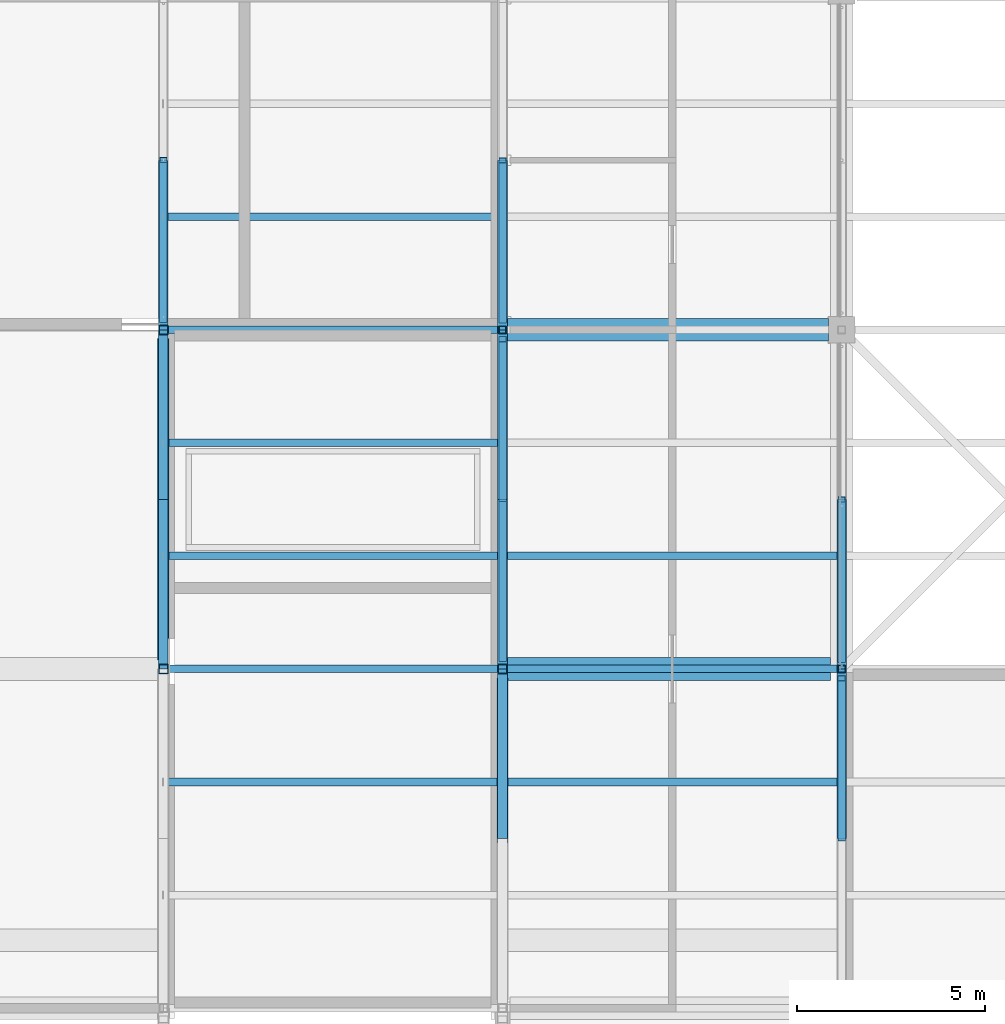
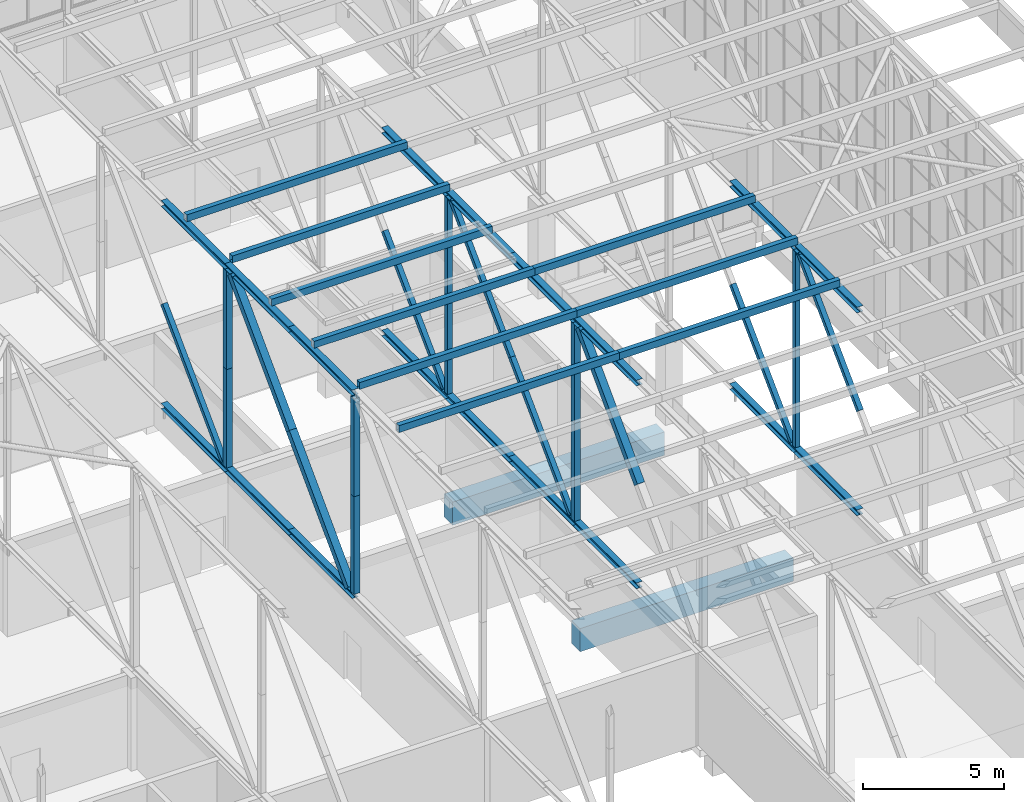
# One storey, part 105 of 646: 46 members, 2 beams.
"""IFC4 building model written with IfcOpenShell, lengths in metres."""

from ifc_helpers import new_model, si_unit, direction, frame, origin, origin_2d, place, context, subcontext, project, spatial, rectangle, hollow_rectangle, i_section, extrude, material, material_profile, profile_set, type_object, element, save


model = new_model("IFC4")

# Units and contexts
model_context = context("Model", 3, precision=1e-05, world=origin(), true_north=direction((0.0, 1.0)))
body_context = subcontext(model_context, "Body", "Model", "MODEL_VIEW")
ifc_project = project(units=[si_unit("LENGTHUNIT", "METRE"), si_unit("AREAUNIT", "SQUARE_METRE"), si_unit("VOLUMEUNIT", "CUBIC_METRE"), si_unit("PLANEANGLEUNIT", "RADIAN"), si_unit("MASSUNIT", "GRAM", prefix="KILO")], contexts=[model_context])

# Site, building, storey
site_placement = place(None, origin())
site = spatial("IfcSite", under=ifc_project, at=site_placement, CompositionType="ELEMENT")
building_placement = place(site_placement, origin())
building = spatial("IfcBuilding", under=site, at=building_placement, Name="Silverbay Arena", CompositionType="ELEMENT")
storey_placement = place(building_placement, frame((0.0, 0.0, 33.5)))
storey = spatial("IfcBuildingStorey", under=building, at=storey_placement, Name="L05", CompositionType="ELEMENT", Elevation=33.5)

# Members
ifc_material_1 = material(Name="Steel S355", Category="steel")
ifc_material_profile_1 = material_profile(ifc_material_1, i_section(OverallWidth=0.254638671875, OverallDepth=0.254150390625, WebThickness=0.008544921875, FlangeThickness=0.01416015625, at=origin_2d()), Name="UC 254x254x73")
ifc_profile_set_1 = profile_set([ifc_material_profile_1], Name="Steel S355")
member_type_1 = type_object("IfcMemberType", Name="Long-span bottom chord UC 254x254x73", PredefinedType="CHORD", material=ifc_profile_set_1)
for number, where, z_axis, x_axis, name in (
    (1, (180.0, 108.0, 4.126953125), (0.0, 1.0, 0.0), (-1.0, 0.0, 0.0), "ROOF TRUSS 21 bottom chord 12a"),
    (2, (180.0, 112.5, 4.126953125), (0.0, 1.0, 0.0), (-1.0, 0.0, 0.0), "ROOF TRUSS 21 bottom chord 12b"),
    (3, (180.0, 117.0, 4.126953125), (0.0, 1.0, 0.0), (-1.0, 0.0, 0.0), "ROOF TRUSS 21 bottom chord 13a"),
):
    element("IfcMember", number, at=place(storey_placement, frame(where, z_axis=z_axis, x_axis=x_axis)), inside=storey, type_object=member_type_1, Name=name, PredefinedType="CHORD", context=body_context, shape_type="SweptSolid", body=[
        extrude(i_section(OverallWidth=0.254638671875, OverallDepth=0.254150390625, WebThickness=0.008544921875, FlangeThickness=0.01416015625, at=origin_2d()), origin(), (0.0, 0.0, 1.0), 4.5),
    ])
ifc_material_2 = material(Name="Steel S355", Category="steel")
ifc_material_profile_2 = material_profile(ifc_material_2, i_section(OverallWidth=0.254638671875, OverallDepth=0.254150390625, WebThickness=0.008544921875, FlangeThickness=0.01416015625, at=origin_2d()), Name="UC 254x254x73")
ifc_profile_set_2 = profile_set([ifc_material_profile_2], Name="Steel S355")
member_type_2 = type_object("IfcMemberType", Name="Long-span top chord UC 254x254x73", PredefinedType="CHORD", material=ifc_profile_set_2)
for number, where, z_axis, x_axis, name in (
    (4, (180.0, 108.0, 12.873046875), (0.0, 1.0, 0.0), (-1.0, 0.0, 0.0), "ROOF TRUSS 21 top chord 12a"),
    (5, (180.0, 112.5, 12.873046875), (0.0, 1.0, 0.0), (-1.0, 0.0, 0.0), "ROOF TRUSS 21 top chord 12b"),
    (6, (180.0, 117.0, 12.873046875), (0.0, 1.0, 0.0), (-1.0, 0.0, 0.0), "ROOF TRUSS 21 top chord 13a"),
):
    element("IfcMember", number, at=place(storey_placement, frame(where, z_axis=z_axis, x_axis=x_axis)), inside=storey, type_object=member_type_2, Name=name, PredefinedType="CHORD", context=body_context, shape_type="SweptSolid", body=[
        extrude(i_section(OverallWidth=0.254638671875, OverallDepth=0.254150390625, WebThickness=0.008544921875, FlangeThickness=0.01416015625, at=origin_2d()), origin(), (0.0, 0.0, 1.0), 4.5),
    ])
ifc_material_3 = material(Name="Steel S355", Category="steel")
ifc_material_profile_3 = material_profile(ifc_material_3, hollow_rectangle(XDim=0.199951171875, YDim=0.199951171875, WallThickness=0.008056640625, at=origin_2d()), Name="SHS 200x200x8")
ifc_profile_set_3 = profile_set([ifc_material_profile_3], Name="Steel S355")
member_type_3 = type_object("IfcMemberType", Name="Long-span truss diagonal SHS 200x200x8", PredefinedType="BRACE", material=ifc_profile_set_3)
member_1_placement = place(storey_placement, frame((180.0, 121.512451171875, 8.5), z_axis=(0.0, -0.7067609232, -0.707452470091), x_axis=(1.0, 0.0, 0.0)))
element("IfcMember", 7, at=member_1_placement, inside=storey, type_object=member_type_3, Name="ROOF TRUSS 21 diagonal 13b", PredefinedType="BRACE", context=body_context, shape_type="SweptSolid", body=[
    extrude(hollow_rectangle(XDim=0.199951171875, YDim=0.199951171875, WallThickness=0.008056640625, at=origin_2d()), origin(), (0.0, 0.0, 1.0), 6.001708984375),
])
ifc_material_4 = material(Name="Steel S355", Category="steel")
ifc_material_profile_4 = material_profile(ifc_material_4, hollow_rectangle(XDim=0.300048828125, YDim=0.300048828125, WallThickness=0.01416015625, at=origin_2d()), Name="SHS 300x300x14.2")
ifc_profile_set_4 = profile_set([ifc_material_profile_4], Name="Steel S355")
member_type_4 = type_object("IfcMemberType", Name="Long-span truss diagonal SHS 300x300x14.2", PredefinedType="BRACE", material=ifc_profile_set_4)
for number, where, z_axis, x_axis, name in (
    (8, (180.0, 116.656494140625, 12.745849609375), (0.0, -0.699547435142, -0.714586164144), (1.0, 0.0, 0.0), "ROOF TRUSS 21 diagonal 12a"),
    (9, (180.0, 112.5, 8.5), (0.0, -0.699547435142, -0.714586164144), (1.0, 0.0, 0.0), "ROOF TRUSS 21 diagonal 12b"),
):
    element("IfcMember", number, at=place(storey_placement, frame(where, z_axis=z_axis, x_axis=x_axis)), inside=storey, type_object=member_type_4, Name=name, PredefinedType="BRACE", context=body_context, shape_type="SweptSolid", body=[
        extrude(hollow_rectangle(XDim=0.300048828125, YDim=0.300048828125, WallThickness=0.01416015625, at=origin_2d()), origin(), (0.0, 0.0, 1.0), 5.941650390625),
    ])
ifc_material_5 = material(Name="Steel S355", Category="steel")
ifc_material_profile_5 = material_profile(ifc_material_5, hollow_rectangle(XDim=0.25, YDim=0.25, WallThickness=0.010009765625, at=origin_2d()), Name="SHS 250x250x10")
ifc_profile_set_5 = profile_set([ifc_material_profile_5], Name="Steel S355")
member_type_5 = type_object("IfcMemberType", Name="Long-span truss vertical SHS 250x250x10", PredefinedType="STRUT", material=ifc_profile_set_5)
member_2_placement = place(storey_placement, frame((180.0, 108.0, 4.254150390625), z_axis=(0.0, 0.0, 1.0), x_axis=(1.0, 0.0, 0.0)))
element("IfcMember", 10, at=member_2_placement, inside=storey, type_object=member_type_5, Name="ROOF TRUSS 21 vertical 12a", PredefinedType="STRUT", context=body_context, shape_type="SweptSolid", body=[
    extrude(hollow_rectangle(XDim=0.25, YDim=0.25, WallThickness=0.010009765625, at=origin_2d()), origin(), (0.0, 0.0, 1.0), 4.215576171875),
])
member_3_placement = place(storey_placement, frame((180.0, 108.0, 8.4697265625), z_axis=(0.0, 0.0, 1.0), x_axis=(1.0, 0.0, 0.0)))
element("IfcMember", 11, at=member_3_placement, inside=storey, type_object=member_type_5, Name="ROOF TRUSS 21 vertical 12b", PredefinedType="STRUT", context=body_context, shape_type="SweptSolid", body=[
    extrude(hollow_rectangle(XDim=0.25, YDim=0.25, WallThickness=0.010009765625, at=origin_2d()), origin(), (0.0, 0.0, 1.0), 4.2158203125),
])
for number, where, z_axis, x_axis, name in (
    (12, (180.0, 117.0, 4.254150390625), (0.0, 0.0, 1.0), (1.0, 0.0, 0.0), "ROOF TRUSS 21 vertical 13a"),
    (13, (180.0, 117.0, 8.5), (0.0, 0.0, 1.0), (1.0, 0.0, 0.0), "ROOF TRUSS 21 vertical 13b"),
):
    element("IfcMember", number, at=place(storey_placement, frame(where, z_axis=z_axis, x_axis=x_axis)), inside=storey, type_object=member_type_5, Name=name, PredefinedType="STRUT", context=body_context, shape_type="SweptSolid", body=[
        extrude(hollow_rectangle(XDim=0.25, YDim=0.25, WallThickness=0.010009765625, at=origin_2d()), origin(), (0.0, 0.0, 1.0), 4.245849609375),
    ])
ifc_material_6 = material(Name="Steel S355", Category="steel")
ifc_material_profile_6 = material_profile(ifc_material_6, i_section(OverallWidth=0.254638671875, OverallDepth=0.254150390625, WebThickness=0.008544921875, FlangeThickness=0.01416015625, at=origin_2d()), Name="UC 254x254x73")
ifc_profile_set_6 = profile_set([ifc_material_profile_6], Name="Steel S355")
member_type_6 = type_object("IfcMemberType", Name="Medium-span bottom chord UC 254x254x73", PredefinedType="CHORD", material=ifc_profile_set_6)
for number, where, z_axis, x_axis, name in (
    (14, (189.0, 103.5, 4.126953125), (0.0, 1.0, 0.0), (-1.0, 0.0, 0.0), "ROOF TRUSS 22 bottom chord 11b"),
    (15, (189.0, 108.0, 4.126953125), (0.0, 1.0, 0.0), (-1.0, 0.0, 0.0), "ROOF TRUSS 22 bottom chord 12a"),
    (16, (189.0, 112.5, 4.126953125), (0.0, 1.0, 0.0), (-1.0, 0.0, 0.0), "ROOF TRUSS 22 bottom chord 12b"),
    (17, (189.0, 117.0, 4.126953125), (0.0, 1.0, 0.0), (-1.0, 0.0, 0.0), "ROOF TRUSS 22 bottom chord 13a"),
):
    element("IfcMember", number, at=place(storey_placement, frame(where, z_axis=z_axis, x_axis=x_axis)), inside=storey, type_object=member_type_6, Name=name, PredefinedType="CHORD", context=body_context, shape_type="SweptSolid", body=[
        extrude(i_section(OverallWidth=0.254638671875, OverallDepth=0.254150390625, WebThickness=0.008544921875, FlangeThickness=0.01416015625, at=origin_2d()), origin(), (0.0, 0.0, 1.0), 4.5),
    ])
ifc_material_7 = material(Name="Steel S355", Category="steel")
ifc_material_profile_7 = material_profile(ifc_material_7, i_section(OverallWidth=0.254638671875, OverallDepth=0.254150390625, WebThickness=0.008544921875, FlangeThickness=0.01416015625, at=origin_2d()), Name="UC 254x254x73")
ifc_profile_set_7 = profile_set([ifc_material_profile_7], Name="Steel S355")
member_type_7 = type_object("IfcMemberType", Name="Medium-span top chord UC 254x254x73", PredefinedType="CHORD", material=ifc_profile_set_7)
for number, where, z_axis, x_axis, name in (
    (18, (189.0, 103.5, 12.873046875), (0.0, 1.0, 0.0), (-1.0, 0.0, 0.0), "ROOF TRUSS 22 top chord 11b"),
    (19, (189.0, 108.0, 12.873046875), (0.0, 1.0, 0.0), (-1.0, 0.0, 0.0), "ROOF TRUSS 22 top chord 12a"),
    (20, (189.0, 112.5, 12.873046875), (0.0, 1.0, 0.0), (-1.0, 0.0, 0.0), "ROOF TRUSS 22 top chord 12b"),
    (21, (189.0, 117.0, 12.873046875), (0.0, 1.0, 0.0), (-1.0, 0.0, 0.0), "ROOF TRUSS 22 top chord 13a"),
):
    element("IfcMember", number, at=place(storey_placement, frame(where, z_axis=z_axis, x_axis=x_axis)), inside=storey, type_object=member_type_7, Name=name, PredefinedType="CHORD", context=body_context, shape_type="SweptSolid", body=[
        extrude(i_section(OverallWidth=0.254638671875, OverallDepth=0.254150390625, WebThickness=0.008544921875, FlangeThickness=0.01416015625, at=origin_2d()), origin(), (0.0, 0.0, 1.0), 4.5),
    ])
ifc_material_8 = material(Name="Steel S355", Category="steel")
ifc_material_profile_8 = material_profile(ifc_material_8, hollow_rectangle(XDim=0.199951171875, YDim=0.199951171875, WallThickness=0.008056640625, at=origin_2d()), Name="SHS 200x200x8")
ifc_profile_set_8 = profile_set([ifc_material_profile_8], Name="Steel S355")
member_type_8 = type_object("IfcMemberType", Name="Medium-span truss diagonal SHS 200x200x8", PredefinedType="BRACE", material=ifc_profile_set_8)
for number, where, z_axis, x_axis, name in (
    (22, (189.0, 116.75439453125, 12.745849609375), (0.0, -0.706781281828, -0.707432130778), (1.0, 0.0, 0.0), "ROOF TRUSS 22 diagonal 12a"),
    (23, (189.0, 112.512451171875, 8.5), (0.0, -0.7067609232, -0.707452470091), (1.0, 0.0, 0.0), "ROOF TRUSS 22 diagonal 12b"),
):
    element("IfcMember", number, at=place(storey_placement, frame(where, z_axis=z_axis, x_axis=x_axis)), inside=storey, type_object=member_type_8, Name=name, PredefinedType="BRACE", context=body_context, shape_type="SweptSolid", body=[
        extrude(hollow_rectangle(XDim=0.199951171875, YDim=0.199951171875, WallThickness=0.008056640625, at=origin_2d()), origin(), (0.0, 0.0, 1.0), 6.001708984375),
    ])
member_4_placement = place(storey_placement, frame((189.0, 121.5, 8.5), z_axis=(0.0, -0.70781724692, -0.706395600894), x_axis=(1.0, 0.0, 0.0)))
element("IfcMember", 24, at=member_4_placement, inside=storey, type_object=member_type_8, Name="ROOF TRUSS 22 diagonal 13b", PredefinedType="BRACE", context=body_context, shape_type="SweptSolid", body=[
    extrude(hollow_rectangle(XDim=0.199951171875, YDim=0.199951171875, WallThickness=0.008056640625, at=origin_2d()), origin(), (0.0, 0.0, 1.0), 6.010498046875),
])
ifc_material_9 = material(Name="Steel S355", Category="steel")
ifc_material_profile_9 = material_profile(ifc_material_9, hollow_rectangle(XDim=0.300048828125, YDim=0.300048828125, WallThickness=0.012451171875, at=origin_2d()), Name="SHS 300x300x12.5")
ifc_profile_set_9 = profile_set([ifc_material_profile_9], Name="Steel S355")
member_type_9 = type_object("IfcMemberType", Name="Medium-span truss diagonal SHS 300x300x12.5", PredefinedType="BRACE", material=ifc_profile_set_9)
member_5_placement = place(storey_placement, frame((189.0, 107.656494140625, 12.745849609375), z_axis=(0.0, -0.700196997117, -0.713949693766), x_axis=(1.0, 0.0, 0.0)))
element("IfcMember", 25, at=member_5_placement, inside=storey, type_object=member_type_9, Name="ROOF TRUSS 22 diagonal 11a", PredefinedType="BRACE", context=body_context, shape_type="SweptSolid", body=[
    extrude(hollow_rectangle(XDim=0.300048828125, YDim=0.300048828125, WallThickness=0.012451171875, at=origin_2d()), origin(), (0.0, 0.0, 1.0), 5.947021484375),
])
ifc_material_10 = material(Name="Steel S355", Category="steel")
ifc_material_profile_10 = material_profile(ifc_material_10, hollow_rectangle(XDim=0.199951171875, YDim=0.199951171875, WallThickness=0.008056640625, at=origin_2d()), Name="SHS 200x200x8")
ifc_profile_set_10 = profile_set([ifc_material_profile_10], Name="Steel S355")
member_type_10 = type_object("IfcMemberType", Name="Medium-span truss vertical SHS 200x200x8", PredefinedType="STRUT", material=ifc_profile_set_10)
for number, where, z_axis, x_axis, name in (
    (26, (189.0, 117.0, 4.254150390625), (0.0, 0.0, 1.0), (1.0, 0.0, 0.0), "ROOF TRUSS 22 vertical 13a"),
    (27, (189.0, 117.0, 8.5), (0.0, 0.0, 1.0), (1.0, 0.0, 0.0), "ROOF TRUSS 22 vertical 13b"),
):
    element("IfcMember", number, at=place(storey_placement, frame(where, z_axis=z_axis, x_axis=x_axis)), inside=storey, type_object=member_type_10, Name=name, PredefinedType="STRUT", context=body_context, shape_type="SweptSolid", body=[
        extrude(hollow_rectangle(XDim=0.199951171875, YDim=0.199951171875, WallThickness=0.008056640625, at=origin_2d()), origin(), (0.0, 0.0, 1.0), 4.245849609375),
    ])
ifc_material_11 = material(Name="Steel S355", Category="steel")
ifc_material_profile_11 = material_profile(ifc_material_11, hollow_rectangle(XDim=0.25, YDim=0.25, WallThickness=0.010009765625, at=origin_2d()), Name="SHS 250x250x10")
ifc_profile_set_11 = profile_set([ifc_material_profile_11], Name="Steel S355")
member_type_11 = type_object("IfcMemberType", Name="Medium-span truss vertical SHS 250x250x10", PredefinedType="STRUT", material=ifc_profile_set_11)
for number, where, z_axis, x_axis, name in (
    (28, (189.0, 108.0, 4.254150390625), (0.0, 0.0, 1.0), (1.0, 0.0, 0.0), "ROOF TRUSS 22 vertical 12a"),
    (29, (189.0, 108.0, 8.5), (0.0, 0.0, 1.0), (1.0, 0.0, 0.0), "ROOF TRUSS 22 vertical 12b"),
):
    element("IfcMember", number, at=place(storey_placement, frame(where, z_axis=z_axis, x_axis=x_axis)), inside=storey, type_object=member_type_11, Name=name, PredefinedType="STRUT", context=body_context, shape_type="SweptSolid", body=[
        extrude(hollow_rectangle(XDim=0.25, YDim=0.25, WallThickness=0.010009765625, at=origin_2d()), origin(), (0.0, 0.0, 1.0), 4.245849609375),
    ])
ifc_material_12 = material(Name="Steel S355", Category="steel")
ifc_material_profile_12 = material_profile(ifc_material_12, hollow_rectangle(XDim=0.199951171875, YDim=0.300048828125, WallThickness=0.00634765625, at=origin_2d()), Name="RHS 300x200x6.3")
ifc_profile_set_12 = profile_set([ifc_material_profile_12], Name="Steel S355")
member_type_12 = type_object("IfcMemberType", Name="Purlin RHS 300x200x6.3", PredefinedType="PURLIN", material=ifc_profile_set_12)
member_6_placement = place(storey_placement, frame((180.0, 105.0, 13.14990234375), z_axis=(1.0, 0.0, 0.0), x_axis=(0.0, 1.0, 0.0)))
element("IfcMember", 30, at=member_6_placement, inside=storey, type_object=member_type_12, Name="ROOF PURLIN 21-22 line 33", PredefinedType="PURLIN", context=body_context, shape_type="SweptSolid", body=[
    extrude(hollow_rectangle(XDim=0.199951171875, YDim=0.300048828125, WallThickness=0.00634765625, at=origin_2d()), origin(), (0.0, 0.0, 1.0), 9.0),
])
member_7_placement = place(storey_placement, frame((180.125, 108.0, 13.14990234375), z_axis=(1.0, 0.0, 0.0), x_axis=(0.0, 1.0, 0.0)))
element("IfcMember", 31, at=member_7_placement, inside=storey, type_object=member_type_12, Name="ROOF PURLIN 21-22 line 34", PredefinedType="PURLIN", context=body_context, shape_type="SweptSolid", body=[
    extrude(hollow_rectangle(XDim=0.199951171875, YDim=0.300048828125, WallThickness=0.00634765625, at=origin_2d()), origin(), (0.0, 0.0, 1.0), 8.875),
])
for number, where, z_axis, x_axis, name in (
    (32, (180.0, 111.0, 13.14990234375), (1.0, 0.0, 0.0), (0.0, 1.0, 0.0), "ROOF PURLIN 21-22 line 35"),
    (33, (180.0, 114.0, 13.14990234375), (1.0, 0.0, 0.0), (0.0, 1.0, 0.0), "ROOF PURLIN 21-22 line 36"),
):
    element("IfcMember", number, at=place(storey_placement, frame(where, z_axis=z_axis, x_axis=x_axis)), inside=storey, type_object=member_type_12, Name=name, PredefinedType="PURLIN", context=body_context, shape_type="SweptSolid", body=[
        extrude(hollow_rectangle(XDim=0.199951171875, YDim=0.300048828125, WallThickness=0.00634765625, at=origin_2d()), origin(), (0.0, 0.0, 1.0), 9.0),
    ])
member_8_placement = place(storey_placement, frame((180.125, 117.0, 13.14990234375), z_axis=(1.0, 0.0, 0.0), x_axis=(0.0, 1.0, 0.0)))
element("IfcMember", 34, at=member_8_placement, inside=storey, type_object=member_type_12, Name="ROOF PURLIN 21-22 line 37", PredefinedType="PURLIN", context=body_context, shape_type="SweptSolid", body=[
    extrude(hollow_rectangle(XDim=0.199951171875, YDim=0.300048828125, WallThickness=0.00634765625, at=origin_2d()), origin(), (0.0, 0.0, 1.0), 8.875),
])
for number, where, z_axis, x_axis, name in (
    (35, (180.0, 120.0, 13.14990234375), (1.0, 0.0, 0.0), (0.0, 1.0, 0.0), "ROOF PURLIN 21-22 line 38"),
    (36, (189.0, 105.0, 13.14990234375), (1.0, 0.0, 0.0), (0.0, 1.0, 0.0), "ROOF PURLIN 22-23 line 33"),
    (37, (189.0, 108.0, 13.14990234375), (1.0, 0.0, 0.0), (0.0, 1.0, 0.0), "ROOF PURLIN 22-23 line 34"),
    (38, (189.0, 111.0, 13.14990234375), (1.0, 0.0, 0.0), (0.0, 1.0, 0.0), "ROOF PURLIN 22-23 line 35"),
):
    element("IfcMember", number, at=place(storey_placement, frame(where, z_axis=z_axis, x_axis=x_axis)), inside=storey, type_object=member_type_12, Name=name, PredefinedType="PURLIN", context=body_context, shape_type="SweptSolid", body=[
        extrude(hollow_rectangle(XDim=0.199951171875, YDim=0.300048828125, WallThickness=0.00634765625, at=origin_2d()), origin(), (0.0, 0.0, 1.0), 9.0),
    ])

# Beams
ifc_material_13 = material(Name="Concrete Grade C45", Category="concrete")
ifc_material_profile_13 = material_profile(ifc_material_13, rectangle(XDim=0.60009765625, YDim=1.0, at=origin_2d()), Name="RC 600x1000")
ifc_profile_set_13 = profile_set([ifc_material_profile_13], Name="Concrete Grade C45")
beam_type = type_object("IfcBeamType", Name="RC beam 600x1000", PredefinedType="BEAM", material=ifc_profile_set_13)
beam_1_placement = place(storey_placement, frame((189.0, 108.0, -0.800048828125), z_axis=(1.0, 0.0, 0.0), x_axis=(0.0, 1.0, 0.0)))
element("IfcBeam", 39, at=beam_1_placement, inside=storey, type_object=beam_type, Name="Floor beam L05 052", PredefinedType="BEAM", context=body_context, shape_type="SweptSolid", body=[
    extrude(rectangle(XDim=0.60009765625, YDim=1.0, at=origin_2d()), origin(), (0.0, 0.0, 1.0), 8.699951171875),
])
beam_2_placement = place(storey_placement, frame((189.0, 117.0, -0.800048828125), z_axis=(1.0, 0.0, 0.0), x_axis=(0.0, 1.0, 0.0)))
element("IfcBeam", 40, at=beam_2_placement, inside=storey, type_object=beam_type, Name="Floor beam L05 056", PredefinedType="BEAM", context=body_context, shape_type="SweptSolid", body=[
    extrude(rectangle(XDim=0.60009765625, YDim=1.0, at=origin_2d()), origin(), (0.0, 0.0, 1.0), 8.64990234375),
])

# Members
ifc_material_14 = material(Name="Steel S355", Category="steel")
ifc_material_profile_14 = material_profile(ifc_material_14, i_section(OverallWidth=0.254638671875, OverallDepth=0.254150390625, WebThickness=0.008544921875, FlangeThickness=0.01416015625, at=origin_2d()), Name="UC 254x254x73")
ifc_profile_set_14 = profile_set([ifc_material_profile_14], Name="Steel S355")
member_type_13 = type_object("IfcMemberType", Name="Short-span bottom chord UC 254x254x73", PredefinedType="CHORD", material=ifc_profile_set_14)
for number, where, z_axis, x_axis, name in (
    (41, (198.0, 103.5, 4.126953125), (0.0, 1.0, 0.0), (-1.0, 0.0, 0.0), "ROOF TRUSS 23 bottom chord 11b"),
    (42, (198.0, 108.0, 4.126953125), (0.0, 1.0, 0.0), (-1.0, 0.0, 0.0), "ROOF TRUSS 23 bottom chord 12a"),
):
    element("IfcMember", number, at=place(storey_placement, frame(where, z_axis=z_axis, x_axis=x_axis)), inside=storey, type_object=member_type_13, Name=name, PredefinedType="CHORD", context=body_context, shape_type="SweptSolid", body=[
        extrude(i_section(OverallWidth=0.254638671875, OverallDepth=0.254150390625, WebThickness=0.008544921875, FlangeThickness=0.01416015625, at=origin_2d()), origin(), (0.0, 0.0, 1.0), 4.5),
    ])
ifc_material_15 = material(Name="Steel S355", Category="steel")
ifc_material_profile_15 = material_profile(ifc_material_15, i_section(OverallWidth=0.254638671875, OverallDepth=0.254150390625, WebThickness=0.008544921875, FlangeThickness=0.01416015625, at=origin_2d()), Name="UC 254x254x73")
ifc_profile_set_15 = profile_set([ifc_material_profile_15], Name="Steel S355")
member_type_14 = type_object("IfcMemberType", Name="Short-span top chord UC 254x254x73", PredefinedType="CHORD", material=ifc_profile_set_15)
for number, where, z_axis, x_axis, name in (
    (43, (198.0, 103.5, 12.873046875), (0.0, 1.0, 0.0), (-1.0, 0.0, 0.0), "ROOF TRUSS 23 top chord 11b"),
    (44, (198.0, 108.0, 12.873046875), (0.0, 1.0, 0.0), (-1.0, 0.0, 0.0), "ROOF TRUSS 23 top chord 12a"),
):
    element("IfcMember", number, at=place(storey_placement, frame(where, z_axis=z_axis, x_axis=x_axis)), inside=storey, type_object=member_type_14, Name=name, PredefinedType="CHORD", context=body_context, shape_type="SweptSolid", body=[
        extrude(i_section(OverallWidth=0.254638671875, OverallDepth=0.254150390625, WebThickness=0.008544921875, FlangeThickness=0.01416015625, at=origin_2d()), origin(), (0.0, 0.0, 1.0), 4.5),
    ])
ifc_material_16 = material(Name="Steel S355", Category="steel")
ifc_material_profile_16 = material_profile(ifc_material_16, hollow_rectangle(XDim=0.199951171875, YDim=0.199951171875, WallThickness=0.008056640625, at=origin_2d()), Name="SHS 200x200x8")
ifc_profile_set_16 = profile_set([ifc_material_profile_16], Name="Steel S355")
member_type_15 = type_object("IfcMemberType", Name="Short-span truss diagonal SHS 200x200x8", PredefinedType="BRACE", material=ifc_profile_set_16)
member_9_placement = place(storey_placement, frame((198.0, 107.75439453125, 12.745849609375), z_axis=(0.0, -0.707411529143, -0.706801901834), x_axis=(1.0, 0.0, 0.0)))
element("IfcMember", 45, at=member_9_placement, inside=storey, type_object=member_type_15, Name="ROOF TRUSS 23 diagonal 11a", PredefinedType="BRACE", context=body_context, shape_type="SweptSolid", body=[
    extrude(hollow_rectangle(XDim=0.199951171875, YDim=0.199951171875, WallThickness=0.008056640625, at=origin_2d()), origin(), (0.0, 0.0, 1.0), 6.007080078125),
])
member_10_placement = place(storey_placement, frame((198.0, 112.5, 8.5), z_axis=(0.0, -0.70781724692, -0.706395600894), x_axis=(1.0, 0.0, 0.0)))
element("IfcMember", 46, at=member_10_placement, inside=storey, type_object=member_type_15, Name="ROOF TRUSS 23 diagonal 12b", PredefinedType="BRACE", context=body_context, shape_type="SweptSolid", body=[
    extrude(hollow_rectangle(XDim=0.199951171875, YDim=0.199951171875, WallThickness=0.008056640625, at=origin_2d()), origin(), (0.0, 0.0, 1.0), 6.010498046875),
])
ifc_material_17 = material(Name="Steel S355", Category="steel")
ifc_material_profile_17 = material_profile(ifc_material_17, hollow_rectangle(XDim=0.199951171875, YDim=0.199951171875, WallThickness=0.008056640625, at=origin_2d()), Name="SHS 200x200x8")
ifc_profile_set_17 = profile_set([ifc_material_profile_17], Name="Steel S355")
member_type_16 = type_object("IfcMemberType", Name="Short-span truss vertical SHS 200x200x8", PredefinedType="STRUT", material=ifc_profile_set_17)
for number, where, z_axis, x_axis, name in (
    (47, (198.0, 108.0, 4.254150390625), (0.0, 0.0, 1.0), (1.0, 0.0, 0.0), "ROOF TRUSS 23 vertical 12a"),
    (48, (198.0, 108.0, 8.5), (0.0, 0.0, 1.0), (1.0, 0.0, 0.0), "ROOF TRUSS 23 vertical 12b"),
):
    element("IfcMember", number, at=place(storey_placement, frame(where, z_axis=z_axis, x_axis=x_axis)), inside=storey, type_object=member_type_16, Name=name, PredefinedType="STRUT", context=body_context, shape_type="SweptSolid", body=[
        extrude(hollow_rectangle(XDim=0.199951171875, YDim=0.199951171875, WallThickness=0.008056640625, at=origin_2d()), origin(), (0.0, 0.0, 1.0), 4.245849609375),
    ])

save(model, "model.ifc")
